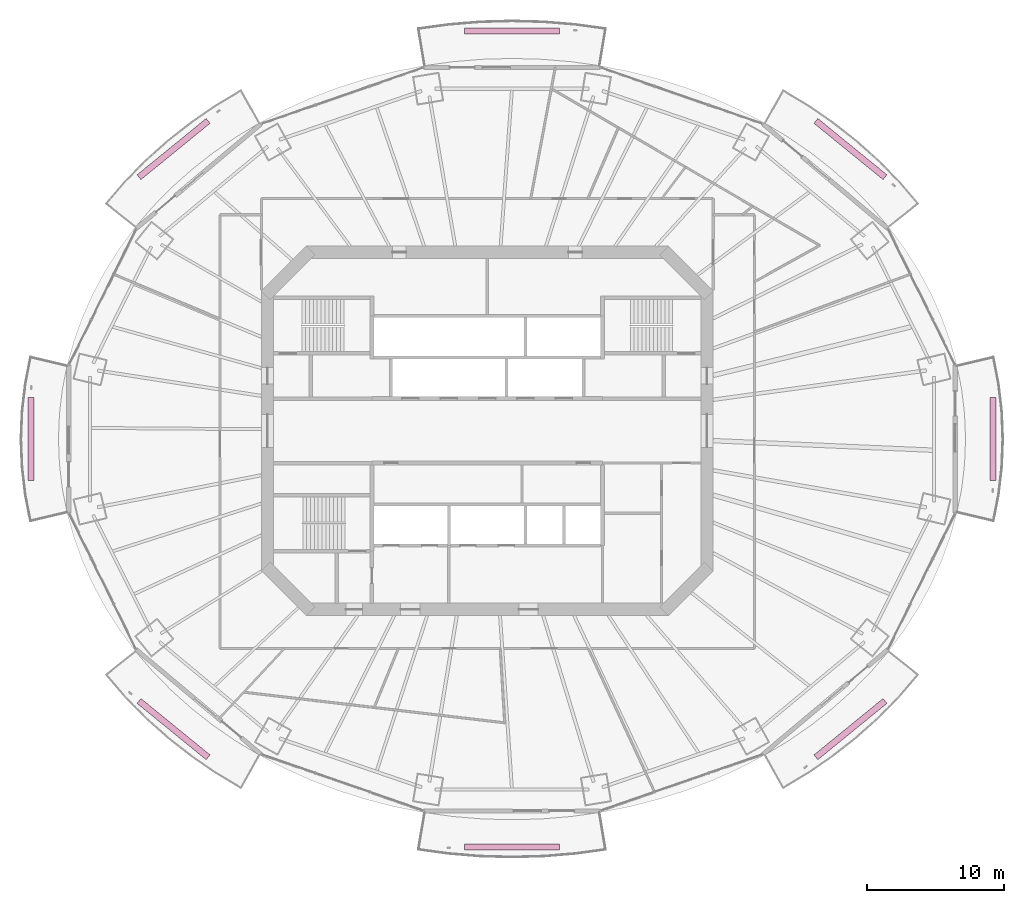
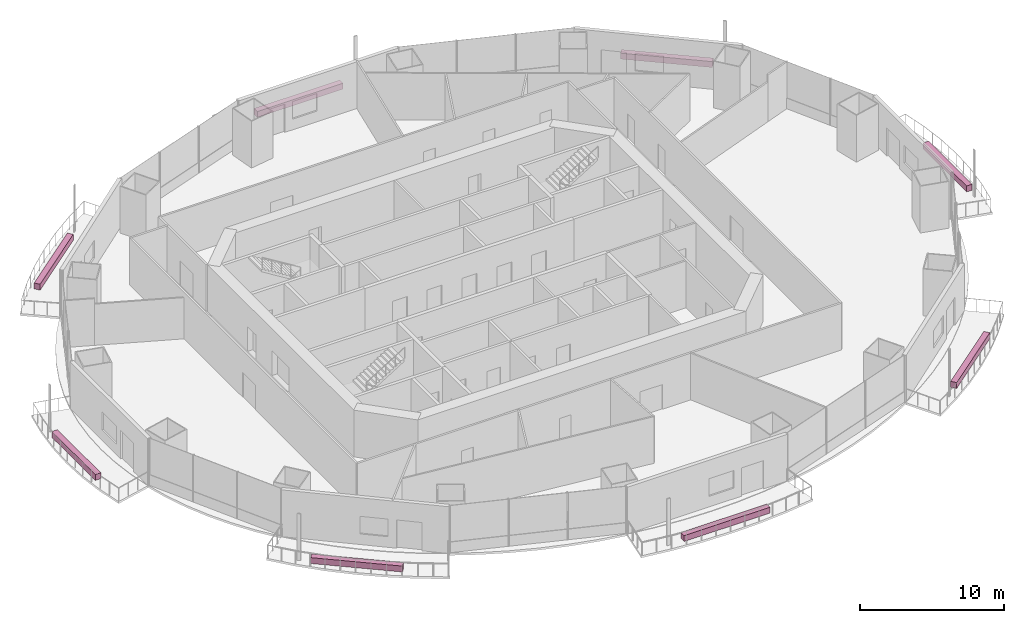
# One storey, part 21 of 21: 8 furnishings.
"""IFC4 building model written with IfcOpenShell, lengths in metres."""

from ifc_helpers import new_model, si_unit, direction, frame, origin, origin_2d, place, context, subcontext, project, spatial, rectangle, extrude, material, type_object, element, save


model = new_model("IFC4")

# Units and contexts
model_context = context("Model", 3, precision=1e-05, world=origin(), true_north=direction((0.0, 1.0)))
body_context = subcontext(model_context, "Body", "Model", "MODEL_VIEW")
ifc_project = project(units=[si_unit("LENGTHUNIT", "METRE"), si_unit("AREAUNIT", "SQUARE_METRE"), si_unit("VOLUMEUNIT", "CUBIC_METRE"), si_unit("PLANEANGLEUNIT", "RADIAN"), si_unit("MASSUNIT", "GRAM", prefix="KILO")], contexts=[model_context])

# Site, building, storey
site_placement = place(None, origin())
site = spatial("IfcSite", under=ifc_project, at=site_placement, CompositionType="ELEMENT")
building_placement = place(site_placement, origin())
building = spatial("IfcBuilding", under=site, at=building_placement, Name="Marenthal Gate Tower", CompositionType="ELEMENT")
storey_placement = place(building_placement, frame((0.0, 0.0, 169.35009765625)))
storey = spatial("IfcBuildingStorey", under=building, at=storey_placement, Name="L36", CompositionType="ELEMENT", Elevation=169.35009765625)

# Furnishings
ifc_material = material(Name="Planting soil and foliage", Category="planting")
furnishing_element_type = type_object("IfcFurnishingElementType", Name="Balcony PLANTER trough", material=ifc_material)
furnishing_1_placement = place(storey_placement, frame((26.439453125, 20.515869140625, -0.0400390625), z_axis=(0.0, 0.0, 1.0), x_axis=(-0.775240196289, 0.631666556071, 0.0)))
element("IfcFurnishingElement", 1, at=furnishing_1_placement, inside=storey, type_object=furnishing_element_type, Name="Balcony PLANTER L36 bay 2", ObjectType="PLANTER", context=body_context, shape_type="SweptSolid", body=[
    extrude(rectangle(XDim=6.4853515625, YDim=0.449951171875, at=origin_2d()), origin(), (0.0, 0.0, 1.0), 0.5),
])
furnishing_2_placement = place(storey_placement, frame((1.800048828125, 29.10693359375, -0.0400390625), z_axis=(0.0, 0.0, 1.0), x_axis=(-1.0, 0.0, 0.0)))
element("IfcFurnishingElement", 2, at=furnishing_2_placement, inside=storey, type_object=furnishing_element_type, Name="Balcony PLANTER L36 bay 4", ObjectType="PLANTER", context=body_context, shape_type="SweptSolid", body=[
    extrude(rectangle(XDim=6.90283203125, YDim=0.449951171875, at=origin_2d()), origin(), (0.0, 0.0, 1.0), 0.5),
])
furnishing_3_placement = place(storey_placement, frame((-22.839599609375, 20.515869140625, -0.0400390625), z_axis=(0.0, 0.0, 1.0), x_axis=(-0.775240196289, -0.631666556071, 0.0)))
element("IfcFurnishingElement", 3, at=furnishing_3_placement, inside=storey, type_object=furnishing_element_type, Name="Balcony PLANTER L36 bay 6", ObjectType="PLANTER", context=body_context, shape_type="SweptSolid", body=[
    extrude(rectangle(XDim=6.4853515625, YDim=0.449951171875, at=origin_2d()), origin(), (0.0, 0.0, 1.0), 0.5),
])
furnishing_4_placement = place(storey_placement, frame((-33.214111328125, -0.60009765625, -0.0400390625), z_axis=(0.0, 0.0, 1.0), x_axis=(0.0, -1.0, 0.0)))
element("IfcFurnishingElement", 4, at=furnishing_4_placement, inside=storey, type_object=furnishing_element_type, Name="Balcony PLANTER L36 bay 8", ObjectType="PLANTER", context=body_context, shape_type="SweptSolid", body=[
    extrude(rectangle(XDim=6.052001953125, YDim=0.449951171875, at=origin_2d()), origin(), (0.0, 0.0, 1.0), 0.5),
])
furnishing_5_placement = place(storey_placement, frame((-22.839599609375, -21.716064453125, -0.0400390625), z_axis=(0.0, 0.0, 1.0), x_axis=(0.775240196289, -0.631666556071, 0.0)))
element("IfcFurnishingElement", 5, at=furnishing_5_placement, inside=storey, type_object=furnishing_element_type, Name="Balcony PLANTER L36 bay 10", ObjectType="PLANTER", context=body_context, shape_type="SweptSolid", body=[
    extrude(rectangle(XDim=6.4853515625, YDim=0.449951171875, at=origin_2d()), origin(), (0.0, 0.0, 1.0), 0.5),
])
furnishing_6_placement = place(storey_placement, frame((1.800048828125, -30.306884765625, -0.0400390625), z_axis=(0.0, 0.0, 1.0), x_axis=(1.0, 0.0, 0.0)))
element("IfcFurnishingElement", 6, at=furnishing_6_placement, inside=storey, type_object=furnishing_element_type, Name="Balcony PLANTER L36 bay 12", ObjectType="PLANTER", context=body_context, shape_type="SweptSolid", body=[
    extrude(rectangle(XDim=6.90283203125, YDim=0.449951171875, at=origin_2d()), origin(), (0.0, 0.0, 1.0), 0.5),
])
furnishing_7_placement = place(storey_placement, frame((26.439453125, -21.716064453125, -0.0400390625), z_axis=(0.0, 0.0, 1.0), x_axis=(0.775240196289, 0.631666556071, 0.0)))
element("IfcFurnishingElement", 7, at=furnishing_7_placement, inside=storey, type_object=furnishing_element_type, Name="Balcony PLANTER L36 bay 14", ObjectType="PLANTER", context=body_context, shape_type="SweptSolid", body=[
    extrude(rectangle(XDim=6.4853515625, YDim=0.449951171875, at=origin_2d()), origin(), (0.0, 0.0, 1.0), 0.5),
])
furnishing_8_placement = place(storey_placement, frame((36.81396484375, -0.60009765625, -0.0400390625), z_axis=(0.0, 0.0, 1.0), x_axis=(0.0, 1.0, 0.0)))
element("IfcFurnishingElement", 8, at=furnishing_8_placement, inside=storey, type_object=furnishing_element_type, Name="Balcony PLANTER L36 bay 16", ObjectType="PLANTER", context=body_context, shape_type="SweptSolid", body=[
    extrude(rectangle(XDim=6.052001953125, YDim=0.449951171875, at=origin_2d()), origin(), (0.0, 0.0, 1.0), 0.5),
])

save(model, "model.ifc")
